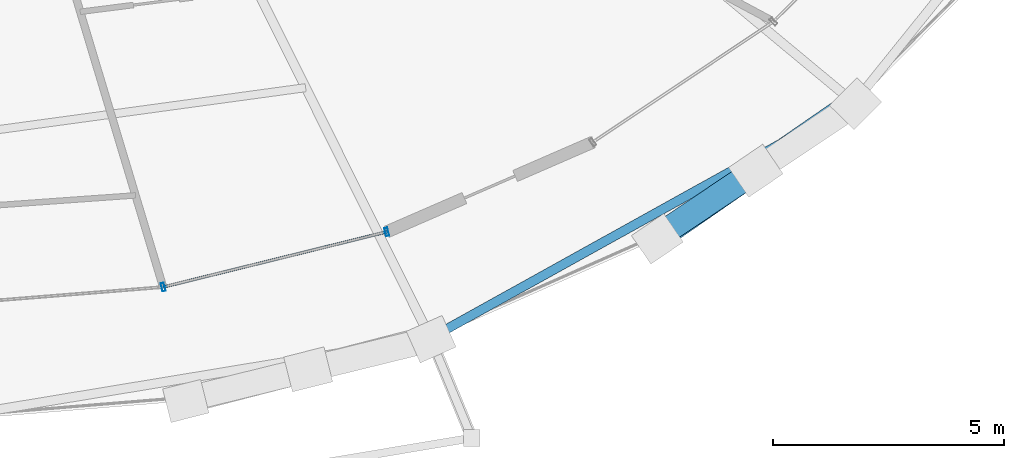
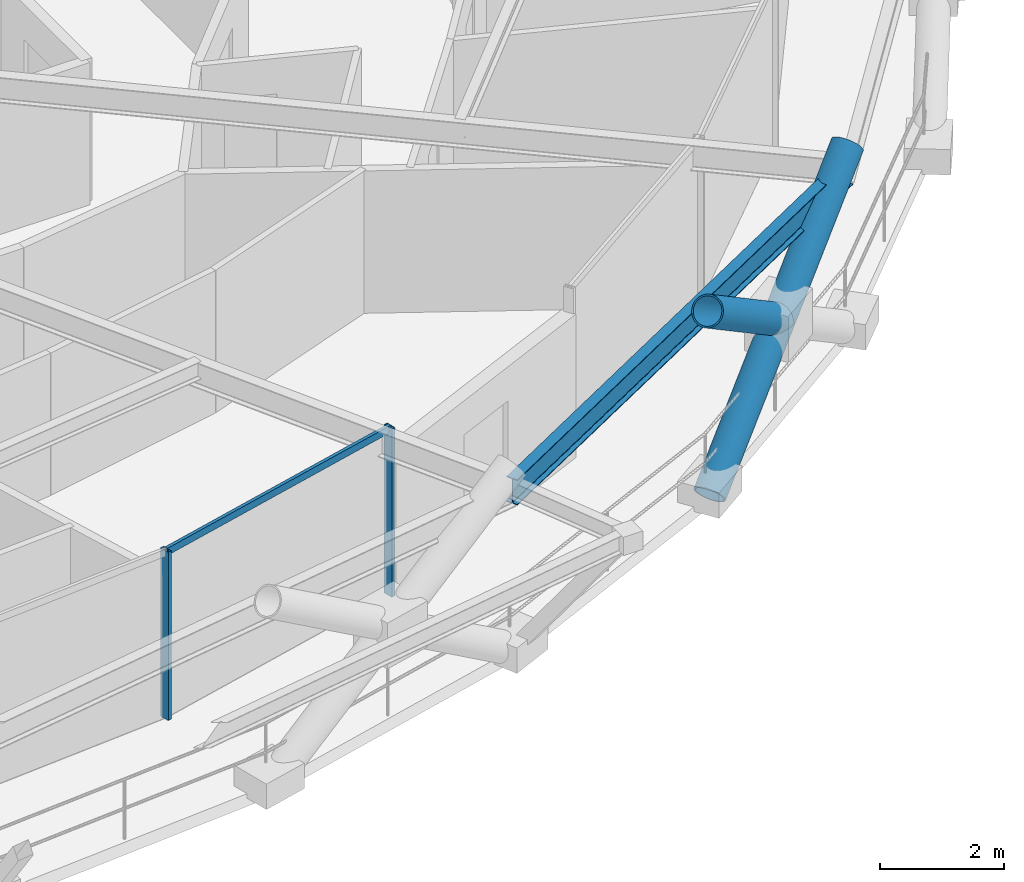
# One storey, part 4 of 22: 5 members, 1 beam, 1 element without a shape of its own.
"""IFC4 building model written with IfcOpenShell, lengths in metres."""

from ifc_helpers import new_model, si_unit, direction, frame, origin, origin_2d, place, context, subcontext, project, spatial, hollow_rectangle, hollow_circle, i_section, extrude, material, layer, layer_set, material_profile, profile_set, type_object, element, aggregate, save


model = new_model("IFC4")

# Units and contexts
model_context = context("Model", 3, precision=1e-05, world=origin(), true_north=direction((0.0, 1.0)))
body_context = subcontext(model_context, "Body", "Model", "MODEL_VIEW")
ifc_project = project(units=[si_unit("LENGTHUNIT", "METRE"), si_unit("AREAUNIT", "SQUARE_METRE"), si_unit("VOLUMEUNIT", "CUBIC_METRE"), si_unit("PLANEANGLEUNIT", "RADIAN"), si_unit("MASSUNIT", "GRAM", prefix="KILO")], contexts=[model_context])

# Site, building, storey
site_placement = place(None, origin())
site = spatial("IfcSite", under=ifc_project, at=site_placement, CompositionType="ELEMENT")
building_placement = place(site_placement, origin())
building = spatial("IfcBuilding", under=site, at=building_placement, Name="Veldorina Hangang Commons", CompositionType="ELEMENT")
storey_placement = place(building_placement, frame((0.0, 0.0, 146.0)))
storey = spatial("IfcBuildingStorey", under=building, at=storey_placement, Name="L37", CompositionType="ELEMENT", Elevation=146.0)

# Beam
ifc_material_1 = material(Name="Steel SM420-TMC", Category="steel")
ifc_material_profile_1 = material_profile(ifc_material_1, i_section(OverallWidth=0.199951171875, OverallDepth=0.5, WebThickness=0.010009765625, FlangeThickness=0.01611328125, FilletRadius=0.01611328125, at=origin_2d()), Name="H-500x200x10x16")
ifc_profile_set_1 = profile_set([ifc_material_profile_1], Name="Steel SM420-TMC")
beam_type = type_object("IfcBeamType", Name="BM-RB500", PredefinedType="BEAM", material=ifc_profile_set_1)
beam_placement = place(storey_placement, frame((42.84228515625, 2.259033203125, 3.10009765625), z_axis=(0.87436972184, 0.485260331708, 0.0), x_axis=(-0.485260331708, 0.87436972184, 0.0)))
element("IfcBeam", 1, at=beam_placement, inside=storey, type_object=beam_type, Name="L37 perimeter hoop ring beam 26", PredefinedType="BEAM", context=body_context, shape_type="SweptSolid", body=[
    extrude(i_section(OverallWidth=0.199951171875, OverallDepth=0.5, WebThickness=0.010009765625, FlangeThickness=0.01611328125, FilletRadius=0.01611328125, at=origin_2d()), origin(), (0.0, 0.0, 1.0), 10.511962890625),
])

# Curtain wall, members
ifc_material_2 = material(Name="Glass Low-E Triple IGU", Category="glass")
ifc_layer = layer(ifc_material_2, 0.179931640625)
ifc_layer_set = layer_set([ifc_layer], Name="Glass Low-E Triple IGU")
curtain_wall_type = type_object("IfcCurtainWallType", Name="CW-SYS-Z2", PredefinedType="NOTDEFINED", material=ifc_layer_set)
curtain_wall_placement = place(storey_placement, origin())
curtain_wall = element("IfcCurtainWall", 2, at=curtain_wall_placement, inside=storey, type_object=curtain_wall_type, Name="L37 unitised curtain wall CW-L37-R1", PredefinedType="NOTDEFINED")
ifc_material_3 = material(Name="Aluminium Anodized AA6063-T6", Category="aluminium")
ifc_material_profile_2 = material_profile(ifc_material_3, hollow_rectangle(XDim=0.070068359375, YDim=0.179931640625, WallThickness=0.00390625, at=origin_2d()), Name="ALU-RHS-180x70x4")
ifc_profile_set_2 = profile_set([ifc_material_profile_2], Name="Aluminium Anodized AA6063-T6")
member_type_1 = type_object("IfcMemberType", Name="CW-MUL-180", PredefinedType="MULLION", material=ifc_profile_set_2)
member_1_placement = place(storey_placement, frame((37.043212890625, 3.364990234375, 0.0), z_axis=(0.0, 0.0, 1.0), x_axis=(0.970850498824, 0.23968585468, 0.0)))
member_1 = element("IfcMember", 3, at=member_1_placement, type_object=member_type_1, Name="CW-L37-R1 vertical mullion 4", PredefinedType="MULLION", context=body_context, shape_type="SweptSolid", body=[
    extrude(hollow_rectangle(XDim=0.070068359375, YDim=0.179931640625, WallThickness=0.00390625, at=origin_2d()), origin(), (0.0, 0.0, 1.0), 3.31005859375),
])
member_2_placement = place(storey_placement, frame((41.892578125, 4.562255859375, 0.0), z_axis=(0.0, 0.0, 1.0), x_axis=(-0.970850498824, -0.23968585468, 0.0)))
member_2 = element("IfcMember", 4, at=member_2_placement, type_object=member_type_1, Name="CW-L37-R1 vertical mullion 5", PredefinedType="MULLION", context=body_context, shape_type="SweptSolid", body=[
    extrude(hollow_rectangle(XDim=0.070068359375, YDim=0.179931640625, WallThickness=0.00390625, at=origin_2d()), origin(), (0.0, 0.0, 1.0), 3.31005859375),
])
ifc_material_profile_3 = material_profile(ifc_material_3, hollow_rectangle(XDim=0.06005859375, YDim=0.139892578125, WallThickness=0.00341796875, at=origin_2d()), Name="ALU-RHS-140x60x3.5")
ifc_profile_set_3 = profile_set([ifc_material_profile_3], Name="Aluminium Anodized AA6063-T6")
member_type_2 = type_object("IfcMemberType", Name="CW-TRN-140", PredefinedType="USERDEFINED", material=ifc_profile_set_3)
member_3_placement = place(storey_placement, frame((37.043212890625, 3.364990234375, 3.27001953125), z_axis=(0.970848498836, 0.23969395551, 0.0), x_axis=(-0.23969395551, 0.970848498836, 0.0)))
member_3 = element("IfcMember", 5, at=member_3_placement, type_object=member_type_2, Name="CW-L37-R1 facet 4 transom 1", ObjectType="TRANSOM", PredefinedType="USERDEFINED", context=body_context, shape_type="SweptSolid", body=[
    extrude(hollow_rectangle(XDim=0.06005859375, YDim=0.139892578125, WallThickness=0.00341796875, at=origin_2d()), origin(), (0.0, 0.0, 1.0), 4.994873046875),
])
aggregate(curtain_wall, [member_1, member_2, member_3])

# Members
ifc_material_profile_4 = material_profile(ifc_material_1, hollow_circle(Radius=0.27490234375, WallThickness=0.028076171875, at=origin_2d()), Name="CHS-550x28")
ifc_profile_set_4 = profile_set([ifc_material_profile_4], Name="Steel SM420-TMC")
member_type_3 = type_object("IfcMemberType", Name="DG-CHS550", PredefinedType="BRACE", material=ifc_profile_set_4)
member_4_placement = place(storey_placement, frame((47.76171875, 4.4111328125, 0.0), z_axis=(0.675709102739, 0.467429889606, 0.570023251086), x_axis=(-0.568906573429, 0.822402158745, 0.0)))
element("IfcMember", 6, at=member_4_placement, inside=storey, type_object=member_type_3, Name="L37 continuous perimeter diagrid brace 27", PredefinedType="BRACE", context=body_context, shape_type="SweptSolid", body=[
    extrude(hollow_circle(Radius=0.27490234375, WallThickness=0.028076171875, at=origin_2d()), origin(), (0.0, 0.0, 1.0), 6.315673828125),
])
member_5_placement = place(storey_placement, frame((49.897216796875, 5.88818359375, 1.801513671875), z_axis=(-0.682883898636, -0.458677555334, 0.568581112257), x_axis=(0.55757644826, -0.830125595525, 0.0)))
element("IfcMember", 7, at=member_5_placement, inside=storey, type_object=member_type_3, Name="L37 split perimeter diagrid upper brace 28", PredefinedType="BRACE", context=body_context, shape_type="SweptSolid", body=[
    extrude(hollow_circle(Radius=0.27490234375, WallThickness=0.028076171875, at=origin_2d()), origin(), (0.0, 0.0, 1.0), 3.163330078125),
])

save(model, "model.ifc")
